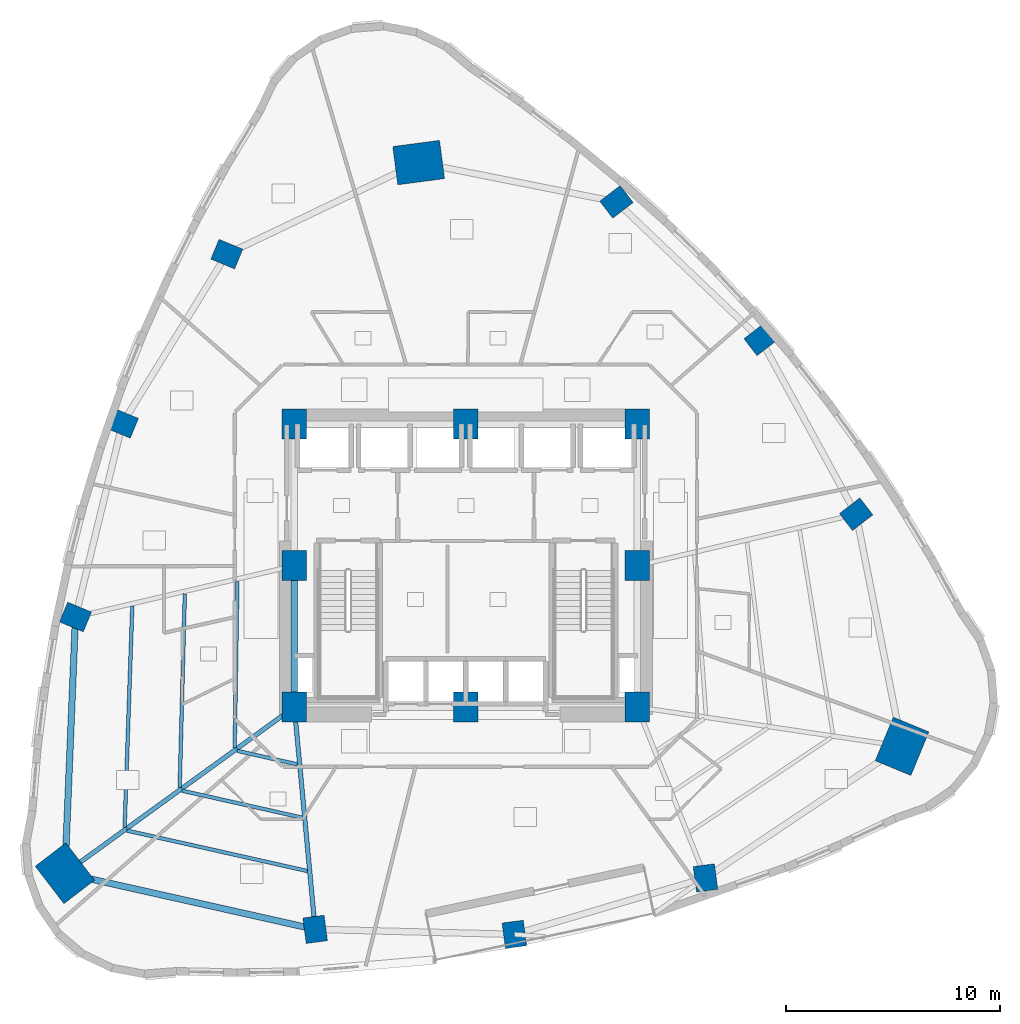
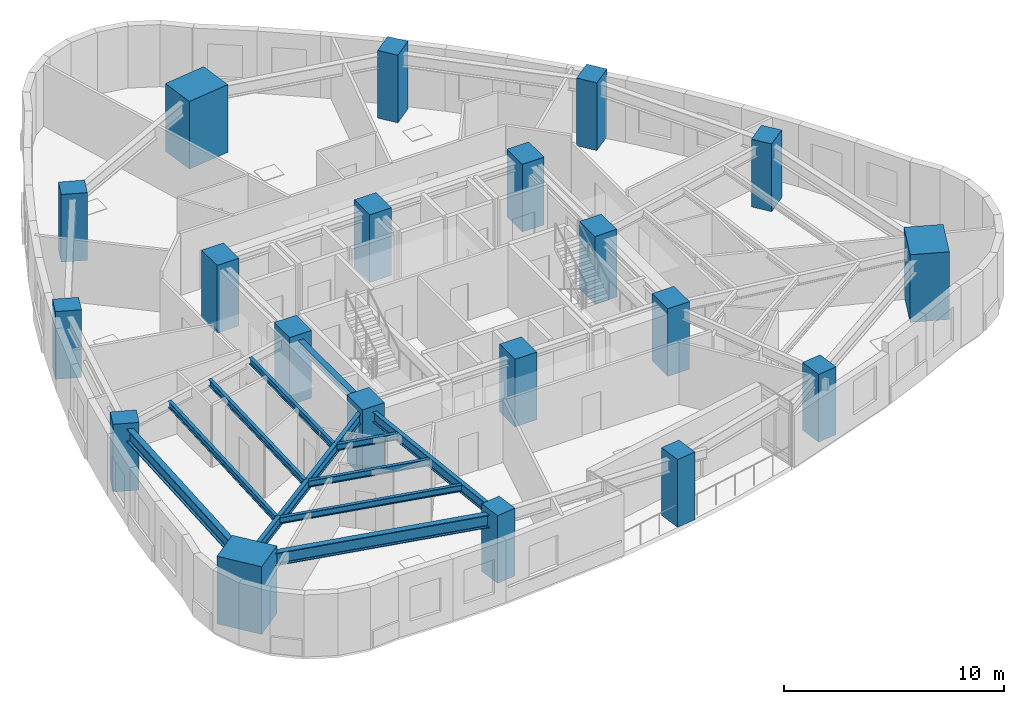
# One storey, part 1 of 12: 20 columns, 11 beams.
"""IFC4 building model written with IfcOpenShell, lengths in metres."""

from ifc_helpers import new_model, si_unit, direction, frame, origin, origin_2d, place, context, subcontext, project, spatial, rectangle, i_section, extrude, material, material_profile, profile_set, type_object, element, save


model = new_model("IFC4")

# Units and contexts
model_context = context("Model", 3, precision=1e-05, world=origin(), true_north=direction((0.0, 1.0)))
body_context = subcontext(model_context, "Body", "Model", "MODEL_VIEW")
ifc_project = project(units=[si_unit("LENGTHUNIT", "METRE"), si_unit("AREAUNIT", "SQUARE_METRE"), si_unit("VOLUMEUNIT", "CUBIC_METRE"), si_unit("PLANEANGLEUNIT", "RADIAN"), si_unit("MASSUNIT", "GRAM", prefix="KILO")], contexts=[model_context])

# Site, building, storey
site_placement = place(None, origin())
site = spatial("IfcSite", under=ifc_project, at=site_placement, CompositionType="ELEMENT")
building_placement = place(site_placement, origin())
building = spatial("IfcBuilding", under=site, at=building_placement, Name="Ndelora Gate Hotel", CompositionType="ELEMENT")
storey_placement = place(building_placement, frame((0.0, 0.0, 79.25)))
storey = spatial("IfcBuildingStorey", under=building, at=storey_placement, Name="L19", CompositionType="ELEMENT", Elevation=79.25)

# Columns
ifc_material_1 = material(Name="Concrete C60/75", Category="concrete")
ifc_material_profile_1 = material_profile(ifc_material_1, rectangle(XDim=1.14990234375, YDim=1.39990234375, at=origin_2d()), Name="RC 1400x1150")
ifc_profile_set_1 = profile_set([ifc_material_profile_1], Name="Concrete C60/75")
column_type_1 = type_object("IfcColumnType", Name="COL-CC-LOW", PredefinedType="COLUMN", material=ifc_profile_set_1)
for number, where, z_axis, x_axis, name in (
    (1, (-8.0, -6.60009765625, 0.0), (0.0, 0.0, 1.0), (1.0, 0.0, 0.0), "L19 Core Column CC1"),
    (2, (0.0, -6.60009765625, 0.0), (0.0, 0.0, 1.0), (1.0, 0.0, 0.0), "L19 Core Column CC2"),
    (3, (8.0, -6.60009765625, 0.0), (0.0, 0.0, 1.0), (1.0, 0.0, 0.0), "L19 Core Column CC3"),
    (4, (8.0, 0.0, 0.0), (0.0, 0.0, 1.0), (1.0, 0.0, 0.0), "L19 Core Column CC4"),
    (5, (8.0, 6.60009765625, 0.0), (0.0, 0.0, 1.0), (1.0, 0.0, 0.0), "L19 Core Column CC5"),
    (6, (0.0, 6.60009765625, 0.0), (0.0, 0.0, 1.0), (1.0, 0.0, 0.0), "L19 Core Column CC6"),
    (7, (-8.0, 6.60009765625, 0.0), (0.0, 0.0, 1.0), (1.0, 0.0, 0.0), "L19 Core Column CC7"),
    (8, (-8.0, 0.0, 0.0), (0.0, 0.0, 1.0), (1.0, 0.0, 0.0), "L19 Core Column CC8"),
):
    element("IfcColumn", number, at=place(storey_placement, frame(where, z_axis=z_axis, x_axis=x_axis)), inside=storey, type_object=column_type_1, Name=name, PredefinedType="COLUMN", context=body_context, shape_type="SweptSolid", body=[
        extrude(rectangle(XDim=1.14990234375, YDim=1.39990234375, at=origin_2d()), origin(), (0.0, 0.0, 1.0), 3.75),
    ])
ifc_material_profile_2 = material_profile(ifc_material_1, rectangle(XDim=1.800048828125, YDim=2.199951171875, at=origin_2d()), Name="RC 2200x1800")
ifc_profile_set_2 = profile_set([ifc_material_profile_2], Name="Concrete C60/75")
column_type_2 = type_object("IfcColumnType", Name="COL-MC-Z1", PredefinedType="COLUMN", material=ifc_profile_set_2)
for number, where, z_axis, x_axis, name in (
    (9, (-2.199951171875, 18.800048828125, 0.0), (0.0, 0.0, 1.0), (-0.13052619222, 0.991444861374, 0.0), "L19 Corner Mega-Column R1"),
    (10, (-18.701904296875, -14.3505859375, 0.0), (0.0, 0.0, 1.0), (0.793353340291, 0.608761429009, 0.0), "L19 Corner Mega-Column R5"),
    (11, (20.35009765625, -8.42919921875, 0.0), (0.0, 0.0, 1.0), (-0.923879532511, 0.382683432365, 0.0), "L19 Corner Mega-Column R9"),
):
    element("IfcColumn", number, at=place(storey_placement, frame(where, z_axis=z_axis, x_axis=x_axis)), inside=storey, type_object=column_type_2, Name=name, PredefinedType="COLUMN", context=body_context, shape_type="SweptSolid", body=[
        extrude(rectangle(XDim=1.800048828125, YDim=2.199951171875, at=origin_2d()), origin(), (0.0, 0.0, 1.0), 3.75),
    ])
ifc_material_profile_3 = material_profile(ifc_material_1, rectangle(XDim=1.0, YDim=1.199951171875, at=origin_2d()), Name="RC 1200x1000")
ifc_profile_set_3 = profile_set([ifc_material_profile_3], Name="Concrete C60/75")
column_type_3 = type_object("IfcColumnType", Name="COL-PT-Z1", PredefinedType="COLUMN", material=ifc_profile_set_3)
for number, where, z_axis, x_axis, name in (
    (12, (-11.1484375, 14.529052734375, 0.0), (0.0, 0.0, 1.0), (0.382683432365, 0.923879532511, 0.0), "L19 Perimeter Tube Column R2"),
    (13, (-16.016845703125, 6.634521484375, 0.0), (0.0, 0.0, 1.0), (0.382683432365, 0.923879532511, 0.0), "L19 Perimeter Tube Column R3"),
    (14, (-18.207275390625, -2.39697265625, 0.0), (0.0, 0.0, 1.0), (0.382683432365, 0.923879532511, 0.0), "L19 Perimeter Tube Column R4"),
    (15, (-7.027587890625, -16.96630859375, 0.0), (0.0, 0.0, 1.0), (0.991444861374, 0.13052619222, 0.0), "L19 Perimeter Tube Column R6"),
    (16, (2.2646484375, -17.20166015625, 0.0), (0.0, 0.0, 1.0), (0.991444861374, 0.13052619222, 0.0), "L19 Perimeter Tube Column R7"),
    (17, (11.179443359375, -14.5693359375, 0.0), (0.0, 0.0, 1.0), (0.991444861374, 0.13052619222, 0.0), "L19 Perimeter Tube Column R8"),
    (18, (18.207275390625, 2.39697265625, 0.0), (0.0, 0.0, 1.0), (-0.608761429009, 0.793353340291, 0.0), "L19 Perimeter Tube Column R10"),
    (19, (13.75390625, 10.5537109375, 0.0), (0.0, 0.0, 1.0), (-0.608761429009, 0.793353340291, 0.0), "L19 Perimeter Tube Column R11"),
    (20, (7.027587890625, 16.96630859375, 0.0), (0.0, 0.0, 1.0), (-0.608761429009, 0.793353340291, 0.0), "L19 Perimeter Tube Column R12"),
):
    element("IfcColumn", number, at=place(storey_placement, frame(where, z_axis=z_axis, x_axis=x_axis)), inside=storey, type_object=column_type_3, Name=name, PredefinedType="COLUMN", context=body_context, shape_type="SweptSolid", body=[
        extrude(rectangle(XDim=1.0, YDim=1.199951171875, at=origin_2d()), origin(), (0.0, 0.0, 1.0), 3.75),
    ])

# Beams
ifc_material_2 = material(Name="Steel S355", Category="steel")
ifc_material_profile_4 = material_profile(ifc_material_2, i_section(OverallWidth=0.300048828125, OverallDepth=0.39990234375, WebThickness=0.013427734375, FlangeThickness=0.02392578125, FilletRadius=0.027099609375, at=origin_2d()), Name="HEB 400")
ifc_profile_set_4 = profile_set([ifc_material_profile_4], Name="Steel S355")
beam_type_1 = type_object("IfcBeamType", Name="BM-CORE-400", PredefinedType="BEAM", material=ifc_profile_set_4)
beam_1_placement = place(storey_placement, frame((-8.0, -6.60009765625, 3.239990234375), z_axis=(0.0, 1.0, 0.0), x_axis=(-1.0, 0.0, 0.0)))
element("IfcBeam", 21, at=beam_1_placement, inside=storey, type_object=beam_type_1, Name="L19 Core Tie Girder CC1-CC8", PredefinedType="BEAM", context=body_context, shape_type="SweptSolid", body=[
    extrude(i_section(OverallWidth=0.300048828125, OverallDepth=0.39990234375, WebThickness=0.013427734375, FlangeThickness=0.02392578125, FilletRadius=0.027099609375, at=origin_2d()), origin(), (0.0, 0.0, 1.0), 6.60009765625),
])
ifc_material_profile_5 = material_profile(ifc_material_2, i_section(OverallWidth=0.169921875, OverallDepth=0.360107421875, WebThickness=0.008056640625, FlangeThickness=0.0126953125, FilletRadius=0.01806640625, at=origin_2d()), Name="IPE 360")
ifc_profile_set_5 = profile_set([ifc_material_profile_5], Name="Steel S355")
beam_type_2 = type_object("IfcBeamType", Name="BM-JST-360", PredefinedType="JOIST", material=ifc_profile_set_5)
beam_2_placement = place(storey_placement, frame((-10.65576171875, -0.73828125, 3.260009765625), z_axis=(-0.016071150123, -0.999870850727, 0.0), x_axis=(0.999870850727, -0.016071150123, 0.0)))
element("IfcBeam", 22, at=beam_2_placement, inside=storey, type_object=beam_type_2, Name="L19 Secondary Composite Floor Joist IN-4", PredefinedType="JOIST", context=body_context, shape_type="SweptSolid", body=[
    extrude(i_section(OverallWidth=0.169921875, OverallDepth=0.360107421875, WebThickness=0.008056640625, FlangeThickness=0.0126953125, FilletRadius=0.01806640625, at=origin_2d()), origin(), (0.0, 0.0, 1.0), 7.7626953125),
])
beam_3_placement = place(storey_placement, frame((-13.106689453125, -1.3134765625, 3.260009765625), z_axis=(-0.02665287705, -0.999644748971, 0.0), x_axis=(0.999644748971, -0.02665287705, 0.0)))
element("IfcBeam", 23, at=beam_3_placement, inside=storey, type_object=beam_type_2, Name="L19 Secondary Composite Floor Joist MID-4", PredefinedType="JOIST", context=body_context, shape_type="SweptSolid", body=[
    extrude(i_section(OverallWidth=0.169921875, OverallDepth=0.360107421875, WebThickness=0.008056640625, FlangeThickness=0.0126953125, FilletRadius=0.01806640625, at=origin_2d()), origin(), (0.0, 0.0, 1.0), 9.050048828125),
])
beam_4_placement = place(storey_placement, frame((-15.557373046875, -1.888671875, 3.260009765625), z_axis=(-0.034620883261, -0.999400517532, 0.0), x_axis=(0.999400517532, -0.034620883261, 0.0)))
element("IfcBeam", 24, at=beam_4_placement, inside=storey, type_object=beam_type_2, Name="L19 Secondary Composite Floor Joist OUT-4", PredefinedType="JOIST", context=body_context, shape_type="SweptSolid", body=[
    extrude(i_section(OverallWidth=0.169921875, OverallDepth=0.360107421875, WebThickness=0.008056640625, FlangeThickness=0.0126953125, FilletRadius=0.01806640625, at=origin_2d()), origin(), (0.0, 0.0, 1.0), 10.337890625),
])
beam_5_placement = place(storey_placement, frame((-10.67041015625, -8.640380859375, 3.260009765625), z_axis=(0.975820751938, -0.218572322325, 0.0), x_axis=(0.218572322325, 0.975820751938, 0.0)))
element("IfcBeam", 25, at=beam_5_placement, inside=storey, type_object=beam_type_2, Name="L19 Secondary Composite Floor Joist IN-5", PredefinedType="JOIST", context=body_context, shape_type="SweptSolid", body=[
    extrude(i_section(OverallWidth=0.169921875, OverallDepth=0.360107421875, WebThickness=0.008056640625, FlangeThickness=0.0126953125, FilletRadius=0.01806640625, at=origin_2d()), origin(), (0.0, 0.0, 1.0), 2.880615234375),
])
beam_6_placement = place(storey_placement, frame((-13.23876953125, -10.50048828125, 3.260009765625), z_axis=(0.975805037012, -0.218642470123, 0.0), x_axis=(0.218642470123, 0.975805037012, 0.0)))
element("IfcBeam", 26, at=beam_6_placement, inside=storey, type_object=beam_type_2, Name="L19 Secondary Composite Floor Joist MID-5", PredefinedType="JOIST", context=body_context, shape_type="SweptSolid", body=[
    extrude(i_section(OverallWidth=0.169921875, OverallDepth=0.360107421875, WebThickness=0.008056640625, FlangeThickness=0.0126953125, FilletRadius=0.01806640625, at=origin_2d()), origin(), (0.0, 0.0, 1.0), 5.751708984375),
])
beam_7_placement = place(storey_placement, frame((-15.80712890625, -12.360595703125, 3.260009765625), z_axis=(0.975802493229, -0.218653822759, 0.0), x_axis=(0.218653822759, 0.975802493229, 0.0)))
element("IfcBeam", 27, at=beam_7_placement, inside=storey, type_object=beam_type_2, Name="L19 Secondary Composite Floor Joist OUT-5", PredefinedType="JOIST", context=body_context, shape_type="SweptSolid", body=[
    extrude(i_section(OverallWidth=0.169921875, OverallDepth=0.360107421875, WebThickness=0.008056640625, FlangeThickness=0.0126953125, FilletRadius=0.01806640625, at=origin_2d()), origin(), (0.0, 0.0, 1.0), 8.623291015625),
])
ifc_material_profile_6 = material_profile(ifc_material_2, i_section(OverallWidth=0.2099609375, OverallDepth=0.550048828125, WebThickness=0.010986328125, FlangeThickness=0.01708984375, FilletRadius=0.02392578125, at=origin_2d()), Name="IPE 550")
ifc_profile_set_6 = profile_set([ifc_material_profile_6], Name="Steel S355")
beam_type_3 = type_object("IfcBeamType", Name="BM-RAD-550", PredefinedType="BEAM", material=ifc_profile_set_6)
beam_8_placement = place(storey_placement, frame((-8.0, -6.60009765625, 3.1650390625), z_axis=(-0.809912157619, -0.586551188679, 0.0), x_axis=(0.586551188679, -0.809912157619, 0.0)))
element("IfcBeam", 28, at=beam_8_placement, inside=storey, type_object=beam_type_3, Name="L19 Radial Floor Girder 5", PredefinedType="BEAM", context=body_context, shape_type="SweptSolid", body=[
    extrude(i_section(OverallWidth=0.2099609375, OverallDepth=0.550048828125, WebThickness=0.010986328125, FlangeThickness=0.01708984375, FilletRadius=0.02392578125, at=origin_2d()), origin(), (0.0, 0.0, 1.0), 13.213623046875),
])
beam_9_placement = place(storey_placement, frame((-8.0, -6.60009765625, 3.1650390625), z_axis=(0.093395913855, -0.995629049031, 0.0), x_axis=(0.995629049031, 0.093395913855, 0.0)))
element("IfcBeam", 29, at=beam_9_placement, inside=storey, type_object=beam_type_3, Name="L19 Radial Floor Girder 6", PredefinedType="BEAM", context=body_context, shape_type="SweptSolid", body=[
    extrude(i_section(OverallWidth=0.2099609375, OverallDepth=0.550048828125, WebThickness=0.010986328125, FlangeThickness=0.01708984375, FilletRadius=0.02392578125, at=origin_2d()), origin(), (0.0, 0.0, 1.0), 10.41162109375),
])
ifc_material_profile_7 = material_profile(ifc_material_2, i_section(OverallWidth=0.300048828125, OverallDepth=0.699951171875, WebThickness=0.01708984375, FlangeThickness=0.031982421875, FilletRadius=0.027099609375, at=origin_2d()), Name="HEB 700")
ifc_profile_set_7 = profile_set([ifc_material_profile_7], Name="Steel S355")
beam_type_4 = type_object("IfcBeamType", Name="BM-RING-700", PredefinedType="SPANDREL", material=ifc_profile_set_7)
for number, where, z_axis, x_axis, name in (
    (30, (-18.207275390625, -2.39697265625, 3.090087890625), (-0.041343648978, -0.99914498582, 0.0), (0.99914498582, -0.041343648978, 0.0), "L19 Perimeter Spandrel Girder 4"),
    (31, (-18.701904296875, -14.3505859375, 3.090087890625), (0.97580624377, -0.218637084273, 0.0), (0.218637084273, 0.97580624377, 0.0), "L19 Perimeter Spandrel Girder 5"),
):
    element("IfcBeam", number, at=place(storey_placement, frame(where, z_axis=z_axis, x_axis=x_axis)), inside=storey, type_object=beam_type_4, Name=name, PredefinedType="SPANDREL", context=body_context, shape_type="SweptSolid", body=[
        extrude(i_section(OverallWidth=0.300048828125, OverallDepth=0.699951171875, WebThickness=0.01708984375, FlangeThickness=0.031982421875, FilletRadius=0.027099609375, at=origin_2d()), origin(), (0.0, 0.0, 1.0), 11.9638671875),
    ])

save(model, "model.ifc")
